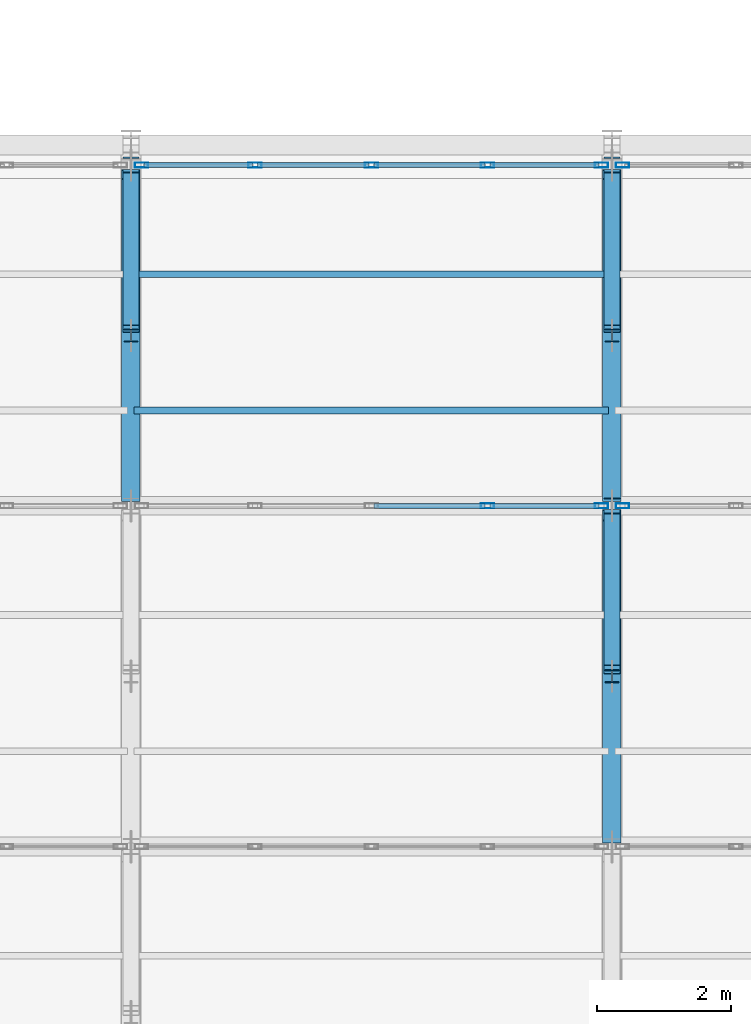
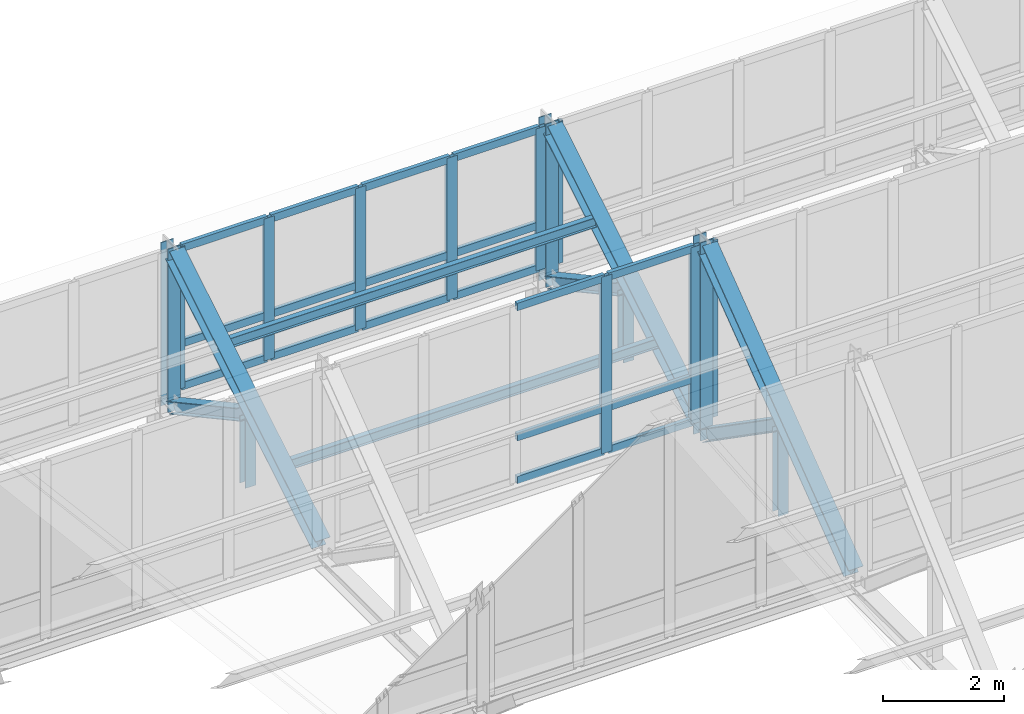
# One storey, part 57 of 157: 41 members, 4 elements without a shape of their own.
"""IFC4 building model written with IfcOpenShell, lengths in metres."""

from ifc_helpers import new_model, si_unit, direction, frame, origin, origin_2d, place, context, subcontext, project, spatial, hollow_rectangle, i_section, extrude, material, material_profile, profile_set, type_object, element, aggregate, save


model = new_model("IFC4")

# Units and contexts
model_context = context("Model", 3, precision=1e-05, world=origin(), true_north=direction((0.0, 1.0)))
body_context = subcontext(model_context, "Body", "Model", "MODEL_VIEW")
ifc_project = project(units=[si_unit("LENGTHUNIT", "METRE"), si_unit("AREAUNIT", "SQUARE_METRE"), si_unit("VOLUMEUNIT", "CUBIC_METRE"), si_unit("PLANEANGLEUNIT", "RADIAN"), si_unit("MASSUNIT", "GRAM", prefix="KILO")], contexts=[model_context])

# Site, building, storey
site_placement = place(None, origin())
site = spatial("IfcSite", under=ifc_project, at=site_placement, CompositionType="ELEMENT")
building_placement = place(site_placement, origin())
building = spatial("IfcBuilding", under=site, at=building_placement, Name="Suanplinth Sawtooth Commons", CompositionType="ELEMENT")
storey_placement = place(building_placement, frame((0.0, 0.0, 9.0)))
storey = spatial("IfcBuildingStorey", under=building, at=storey_placement, Name="L02", CompositionType="ELEMENT", Elevation=9.0)

# Members
ifc_material_1 = material(Name="Steel S355JR", Category="steel")
ifc_material_profile_1 = material_profile(ifc_material_1, i_section(OverallWidth=0.280029296875, OverallDepth=0.280029296875, WebThickness=0.010498046875, FlangeThickness=0.01806640625, at=origin_2d()), Name="HEB 280")
ifc_profile_set_1 = profile_set([ifc_material_profile_1], Name="Steel S355JR")
member_type_1 = type_object("IfcMemberType", Name="M-02", PredefinedType="CHORD", material=ifc_profile_set_1)
member_1_placement = place(storey_placement, frame((86.39990234375, 81.139892578125, 2.919921875), z_axis=(0.0, 0.855283356021, 0.51816057445), x_axis=(-1.0, 0.0, 0.0)))
element("IfcMember", 1, at=member_1_placement, inside=storey, type_object=member_type_1, Name="Sawtooth Truss T4 Top Chord 7", PredefinedType="CHORD", context=body_context, shape_type="SweptSolid", body=[
    extrude(i_section(OverallWidth=0.280029296875, OverallDepth=0.280029296875, WebThickness=0.010498046875, FlangeThickness=0.01806640625, at=origin_2d()), origin(), (0.0, 0.0, 1.0), 5.6357421875),
])
member_2_placement = place(storey_placement, frame((93.60009765625, 76.0400390625, 2.919921875), z_axis=(0.0, 0.799596436712, 0.600537707723), x_axis=(-1.0, 0.0, 0.0)))
element("IfcMember", 2, at=member_2_placement, inside=storey, type_object=member_type_1, Name="Sawtooth Truss T5 Top Chord 6", PredefinedType="CHORD", context=body_context, shape_type="SweptSolid", body=[
    extrude(i_section(OverallWidth=0.280029296875, OverallDepth=0.280029296875, WebThickness=0.010498046875, FlangeThickness=0.01806640625, at=origin_2d()), origin(), (0.0, 0.0, 1.0), 6.028076171875),
])
member_3_placement = place(storey_placement, frame((93.60009765625, 81.139892578125, 2.919921875), z_axis=(0.0, 0.855283356021, 0.51816057445), x_axis=(-1.0, 0.0, 0.0)))
element("IfcMember", 3, at=member_3_placement, inside=storey, type_object=member_type_1, Name="Sawtooth Truss T5 Top Chord 7", PredefinedType="CHORD", context=body_context, shape_type="SweptSolid", body=[
    extrude(i_section(OverallWidth=0.280029296875, OverallDepth=0.280029296875, WebThickness=0.010498046875, FlangeThickness=0.01806640625, at=origin_2d()), origin(), (0.0, 0.0, 1.0), 5.6357421875),
])
ifc_material_profile_2 = material_profile(ifc_material_1, i_section(OverallWidth=0.239990234375, OverallDepth=0.22998046875, WebThickness=0.007568359375, FlangeThickness=0.011962890625, at=origin_2d()), Name="HEA 240")
ifc_profile_set_2 = profile_set([ifc_material_profile_2], Name="Steel S355JR")
member_type_2 = type_object("IfcMemberType", Name="M-03", PredefinedType="BRACE", material=ifc_profile_set_2)
member_4_placement = place(storey_placement, frame((86.39990234375, 83.64990234375, 4.02001953125), z_axis=(0.0, 0.878043199154, -0.478581383277), x_axis=(-1.0, 0.0, 0.0)))
element("IfcMember", 4, at=member_4_placement, inside=storey, type_object=member_type_2, Name="Sawtooth Truss T4 Web Diagonal 7", PredefinedType="BRACE", context=body_context, shape_type="SweptSolid", body=[
    extrude(i_section(OverallWidth=0.239990234375, OverallDepth=0.22998046875, WebThickness=0.007568359375, FlangeThickness=0.011962890625, at=origin_2d()), origin(), (0.0, 0.0, 1.0), 2.65380859375),
])
member_5_placement = place(storey_placement, frame((93.60009765625, 78.550048828125, 4.3701171875), z_axis=(0.0, 0.821010399862, -0.570913236245), x_axis=(-1.0, 0.0, 0.0)))
element("IfcMember", 5, at=member_5_placement, inside=storey, type_object=member_type_2, Name="Sawtooth Truss T5 Web Diagonal 6", PredefinedType="BRACE", context=body_context, shape_type="SweptSolid", body=[
    extrude(i_section(OverallWidth=0.239990234375, OverallDepth=0.22998046875, WebThickness=0.007568359375, FlangeThickness=0.011962890625, at=origin_2d()), origin(), (0.0, 0.0, 1.0), 2.837646484375),
])
member_6_placement = place(storey_placement, frame((93.60009765625, 83.64990234375, 4.02001953125), z_axis=(0.0, 0.878043199154, -0.478581383277), x_axis=(-1.0, 0.0, 0.0)))
element("IfcMember", 6, at=member_6_placement, inside=storey, type_object=member_type_2, Name="Sawtooth Truss T5 Web Diagonal 7", PredefinedType="BRACE", context=body_context, shape_type="SweptSolid", body=[
    extrude(i_section(OverallWidth=0.239990234375, OverallDepth=0.22998046875, WebThickness=0.007568359375, FlangeThickness=0.011962890625, at=origin_2d()), origin(), (0.0, 0.0, 1.0), 2.65380859375),
])
ifc_material_profile_3 = material_profile(ifc_material_1, i_section(OverallWidth=0.199951171875, OverallDepth=0.18994140625, WebThickness=0.006591796875, FlangeThickness=0.010009765625, at=origin_2d()), Name="HEA 200")
ifc_profile_set_3 = profile_set([ifc_material_profile_3], Name="Steel S355JR")
member_type_3 = type_object("IfcMemberType", Name="M-04", PredefinedType="BRACE", material=ifc_profile_set_3)
member_7_placement = place(storey_placement, frame((86.39990234375, 83.550048828125, 2.64990234375), z_axis=(0.0, 0.0, 1.0), x_axis=(1.0, 0.0, 0.0)))
element("IfcMember", 7, at=member_7_placement, inside=storey, type_object=member_type_3, Name="Sawtooth Truss T4 Mid Web Post 7", PredefinedType="BRACE", context=body_context, shape_type="SweptSolid", body=[
    extrude(i_section(OverallWidth=0.199951171875, OverallDepth=0.18994140625, WebThickness=0.006591796875, FlangeThickness=0.010009765625, at=origin_2d()), origin(), (0.0, 0.0, 1.0), 1.35009765625),
])
member_8_placement = place(storey_placement, frame((93.60009765625, 78.449951171875, 2.64990234375), z_axis=(0.0, 0.0, 1.0), x_axis=(1.0, 0.0, 0.0)))
element("IfcMember", 8, at=member_8_placement, inside=storey, type_object=member_type_3, Name="Sawtooth Truss T5 Mid Web Post 6", PredefinedType="BRACE", context=body_context, shape_type="SweptSolid", body=[
    extrude(i_section(OverallWidth=0.199951171875, OverallDepth=0.18994140625, WebThickness=0.006591796875, FlangeThickness=0.010009765625, at=origin_2d()), origin(), (0.0, 0.0, 1.0), 1.7001953125),
])
member_9_placement = place(storey_placement, frame((93.60009765625, 83.550048828125, 2.64990234375), z_axis=(0.0, 0.0, 1.0), x_axis=(1.0, 0.0, 0.0)))
element("IfcMember", 9, at=member_9_placement, inside=storey, type_object=member_type_3, Name="Sawtooth Truss T5 Mid Web Post 7", PredefinedType="BRACE", context=body_context, shape_type="SweptSolid", body=[
    extrude(i_section(OverallWidth=0.199951171875, OverallDepth=0.18994140625, WebThickness=0.006591796875, FlangeThickness=0.010009765625, at=origin_2d()), origin(), (0.0, 0.0, 1.0), 1.35009765625),
])
ifc_material_profile_4 = material_profile(ifc_material_1, i_section(OverallWidth=0.239990234375, OverallDepth=0.239990234375, WebThickness=0.010009765625, FlangeThickness=0.01708984375, at=origin_2d()), Name="HEB 240")
ifc_profile_set_4 = profile_set([ifc_material_profile_4], Name="Steel S355JR")
member_type_4 = type_object("IfcMemberType", Name="M-05", PredefinedType="POST", material=ifc_profile_set_4)
member_10_placement = place(storey_placement, frame((86.39990234375, 86.10009765625, 2.64990234375), z_axis=(0.0, 0.0, 1.0), x_axis=(1.0, 0.0, 0.0)))
element("IfcMember", 10, at=member_10_placement, inside=storey, type_object=member_type_4, Name="Sawtooth Truss T4 Clerestory Post 7", PredefinedType="POST", context=body_context, shape_type="SweptSolid", body=[
    extrude(i_section(OverallWidth=0.239990234375, OverallDepth=0.239990234375, WebThickness=0.010009765625, FlangeThickness=0.01708984375, at=origin_2d()), origin(), (0.0, 0.0, 1.0), 3.2900390625),
])
member_11_placement = place(storey_placement, frame((93.60009765625, 81.0, 2.64990234375), z_axis=(0.0, 0.0, 1.0), x_axis=(1.0, 0.0, 0.0)))
element("IfcMember", 11, at=member_11_placement, inside=storey, type_object=member_type_4, Name="Sawtooth Truss T5 Clerestory Post 6", PredefinedType="POST", context=body_context, shape_type="SweptSolid", body=[
    extrude(i_section(OverallWidth=0.239990234375, OverallDepth=0.239990234375, WebThickness=0.010009765625, FlangeThickness=0.01708984375, at=origin_2d()), origin(), (0.0, 0.0, 1.0), 3.989990234375),
])
member_12_placement = place(storey_placement, frame((93.60009765625, 86.10009765625, 2.64990234375), z_axis=(0.0, 0.0, 1.0), x_axis=(1.0, 0.0, 0.0)))
element("IfcMember", 12, at=member_12_placement, inside=storey, type_object=member_type_4, Name="Sawtooth Truss T5 Clerestory Post 7", PredefinedType="POST", context=body_context, shape_type="SweptSolid", body=[
    extrude(i_section(OverallWidth=0.239990234375, OverallDepth=0.239990234375, WebThickness=0.010009765625, FlangeThickness=0.01708984375, at=origin_2d()), origin(), (0.0, 0.0, 1.0), 3.2900390625),
])
ifc_material_2 = material(Name="Steel SS400", Category="steel")
ifc_material_profile_5 = material_profile(ifc_material_2, i_section(OverallWidth=0.10009765625, OverallDepth=0.199951171875, WebThickness=0.005615234375, FlangeThickness=0.008544921875, at=origin_2d()), Name="IPE 200")
ifc_profile_set_5 = profile_set([ifc_material_profile_5], Name="Steel SS400")
member_type_5 = type_object("IfcMemberType", Name="M-06", PredefinedType="PURLIN", material=ifc_profile_set_5)
for number, where, z_axis, x_axis, name in (
    (13, (86.449951171875, 82.427978515625, 3.691162109375), (1.0, 0.0, 0.0), (0.0, 1.0, 0.0), "Sawtooth Roof Purlin T7-B4-P1"),
    (14, (86.449951171875, 84.468017578125, 4.89111328125), (1.0, 0.0, 0.0), (0.0, 1.0, 0.0), "Sawtooth Roof Purlin T7-B4-P2"),
):
    element("IfcMember", number, at=place(storey_placement, frame(where, z_axis=z_axis, x_axis=x_axis)), inside=storey, type_object=member_type_5, Name=name, PredefinedType="PURLIN", context=body_context, shape_type="SweptSolid", body=[
        extrude(i_section(OverallWidth=0.10009765625, OverallDepth=0.199951171875, WebThickness=0.005615234375, FlangeThickness=0.008544921875, at=origin_2d()), origin(), (0.0, 0.0, 1.0), 7.10009765625),
    ])

# Curtain wall, members
ifc_material_3 = material(Name="Anodized aluminium and low-E glazing", Category="aluminium")
curtain_wall_type = type_object("IfcCurtainWallType", Name="CW-03", PredefinedType="USERDEFINED", material=ifc_material_3)
curtain_wall_1_placement = place(storey_placement, origin())
curtain_wall_1 = element("IfcCurtainWall", 15, at=curtain_wall_1_placement, inside=storey, type_object=curtain_wall_type, Name="Curtain Wall CW-SAW-T6-B4", ObjectType="CURTAIN WALL", PredefinedType="USERDEFINED")
ifc_material_4 = material(Name="Anodized aluminium 6063-T6", Category="aluminium")
ifc_material_profile_6 = material_profile(ifc_material_4, hollow_rectangle(XDim=0.074951171875, YDim=0.199951171875, WallThickness=0.0048828125, at=origin_2d()), Name="ALU-MUL 75x200")
ifc_profile_set_6 = profile_set([ifc_material_profile_6], Name="Anodized aluminium 6063-T6")
member_type_6 = type_object("IfcMemberType", Name="M-14", PredefinedType="MULLION", material=ifc_profile_set_6)
member_13_placement = place(storey_placement, frame((91.739990234375, 81.0, 2.97998046875), z_axis=(0.0, 0.0, 1.0), x_axis=(0.0, 1.0, 0.0)))
member_13 = element("IfcMember", 16, at=member_13_placement, type_object=member_type_6, Name="CW-03 mullion 4", PredefinedType="MULLION", context=body_context, shape_type="SweptSolid", body=[
    extrude(hollow_rectangle(XDim=0.074951171875, YDim=0.199951171875, WallThickness=0.0048828125, at=origin_2d()), origin(), (0.0, 0.0, 1.0), 3.56005859375),
])
member_14_placement = place(storey_placement, frame((93.4423828125, 81.0, 2.97998046875), z_axis=(0.0, 0.0, 1.0), x_axis=(0.0, 1.0, 0.0)))
member_14 = element("IfcMember", 17, at=member_14_placement, type_object=member_type_6, Name="CW-03 mullion 5", PredefinedType="MULLION", context=body_context, shape_type="SweptSolid", body=[
    extrude(hollow_rectangle(XDim=0.074951171875, YDim=0.199951171875, WallThickness=0.0048828125, at=origin_2d()), origin(), (0.0, 0.0, 1.0), 3.56005859375),
])

# Curtain wall, member
curtain_wall_2_placement = place(storey_placement, origin())
curtain_wall_2 = element("IfcCurtainWall", 18, at=curtain_wall_2_placement, inside=storey, type_object=curtain_wall_type, Name="Curtain Wall CW-SAW-T6-B5", ObjectType="CURTAIN WALL", PredefinedType="USERDEFINED")
member_15_placement = place(storey_placement, frame((93.757568359375, 81.0, 2.97998046875), z_axis=(0.0, 0.0, 1.0), x_axis=(0.0, 1.0, 0.0)))
member_15 = element("IfcMember", 19, at=member_15_placement, type_object=member_type_6, Name="CW-03 mullion 1", PredefinedType="MULLION", context=body_context, shape_type="SweptSolid", body=[
    extrude(hollow_rectangle(XDim=0.074951171875, YDim=0.199951171875, WallThickness=0.0048828125, at=origin_2d()), origin(), (0.0, 0.0, 1.0), 3.56005859375),
])
aggregate(curtain_wall_2, [member_15])

# Curtain wall, members
curtain_wall_3_placement = place(storey_placement, origin())
curtain_wall_3 = element("IfcCurtainWall", 20, at=curtain_wall_3_placement, inside=storey, type_object=curtain_wall_type, Name="Curtain Wall CW-SAW-T7-B4", ObjectType="CURTAIN WALL", PredefinedType="USERDEFINED")
member_16_placement = place(storey_placement, frame((86.5576171875, 86.10009765625, 2.97998046875), z_axis=(0.0, 0.0, 1.0), x_axis=(0.0, 1.0, 0.0)))
member_16 = element("IfcMember", 21, at=member_16_placement, type_object=member_type_6, Name="CW-03 mullion 1", PredefinedType="MULLION", context=body_context, shape_type="SweptSolid", body=[
    extrude(hollow_rectangle(XDim=0.074951171875, YDim=0.199951171875, WallThickness=0.0048828125, at=origin_2d()), origin(), (0.0, 0.0, 1.0), 2.860107421875),
])
member_17_placement = place(storey_placement, frame((88.260009765625, 86.10009765625, 2.97998046875), z_axis=(0.0, 0.0, 1.0), x_axis=(0.0, 1.0, 0.0)))
member_17 = element("IfcMember", 22, at=member_17_placement, type_object=member_type_6, Name="CW-03 mullion 2", PredefinedType="MULLION", context=body_context, shape_type="SweptSolid", body=[
    extrude(hollow_rectangle(XDim=0.074951171875, YDim=0.199951171875, WallThickness=0.0048828125, at=origin_2d()), origin(), (0.0, 0.0, 1.0), 2.860107421875),
])
member_18_placement = place(storey_placement, frame((90.0, 86.10009765625, 2.97998046875), z_axis=(0.0, 0.0, 1.0), x_axis=(0.0, 1.0, 0.0)))
member_18 = element("IfcMember", 23, at=member_18_placement, type_object=member_type_6, Name="CW-03 mullion 3", PredefinedType="MULLION", context=body_context, shape_type="SweptSolid", body=[
    extrude(hollow_rectangle(XDim=0.074951171875, YDim=0.199951171875, WallThickness=0.0048828125, at=origin_2d()), origin(), (0.0, 0.0, 1.0), 2.860107421875),
])
member_19_placement = place(storey_placement, frame((91.739990234375, 86.10009765625, 2.97998046875), z_axis=(0.0, 0.0, 1.0), x_axis=(0.0, 1.0, 0.0)))
member_19 = element("IfcMember", 24, at=member_19_placement, type_object=member_type_6, Name="CW-03 mullion 4", PredefinedType="MULLION", context=body_context, shape_type="SweptSolid", body=[
    extrude(hollow_rectangle(XDim=0.074951171875, YDim=0.199951171875, WallThickness=0.0048828125, at=origin_2d()), origin(), (0.0, 0.0, 1.0), 2.860107421875),
])
member_20_placement = place(storey_placement, frame((93.4423828125, 86.10009765625, 2.97998046875), z_axis=(0.0, 0.0, 1.0), x_axis=(0.0, 1.0, 0.0)))
member_20 = element("IfcMember", 25, at=member_20_placement, type_object=member_type_6, Name="CW-03 mullion 5", PredefinedType="MULLION", context=body_context, shape_type="SweptSolid", body=[
    extrude(hollow_rectangle(XDim=0.074951171875, YDim=0.199951171875, WallThickness=0.0048828125, at=origin_2d()), origin(), (0.0, 0.0, 1.0), 2.860107421875),
])

# Curtain wall, member
curtain_wall_4_placement = place(storey_placement, origin())
curtain_wall_4 = element("IfcCurtainWall", 26, at=curtain_wall_4_placement, inside=storey, type_object=curtain_wall_type, Name="Curtain Wall CW-SAW-T7-B5", ObjectType="CURTAIN WALL", PredefinedType="USERDEFINED")
member_21_placement = place(storey_placement, frame((93.757568359375, 86.10009765625, 2.97998046875), z_axis=(0.0, 0.0, 1.0), x_axis=(0.0, 1.0, 0.0)))
member_21 = element("IfcMember", 27, at=member_21_placement, type_object=member_type_6, Name="CW-03 mullion 1", PredefinedType="MULLION", context=body_context, shape_type="SweptSolid", body=[
    extrude(hollow_rectangle(XDim=0.074951171875, YDim=0.199951171875, WallThickness=0.0048828125, at=origin_2d()), origin(), (0.0, 0.0, 1.0), 2.860107421875),
])
aggregate(curtain_wall_4, [member_21])

# Member
ifc_material_profile_7 = material_profile(ifc_material_4, hollow_rectangle(XDim=0.074951171875, YDim=0.14990234375, WallThickness=0.00439453125, at=origin_2d()), Name="ALU-TRN 75x150")
ifc_profile_set_7 = profile_set([ifc_material_profile_7], Name="Anodized aluminium 6063-T6")
member_type_7 = type_object("IfcMemberType", Name="M-16", PredefinedType="USERDEFINED", material=ifc_profile_set_7)
member_22_placement = place(storey_placement, frame((90.03759765625, 81.0, 3.017578125), z_axis=(1.0, 0.0, 0.0), x_axis=(0.0, 1.0, 0.0)))
member_22 = element("IfcMember", 28, at=member_22_placement, type_object=member_type_7, Name="CW-03 transom 3.1", ObjectType="TRANSOM", PredefinedType="USERDEFINED", context=body_context, shape_type="SweptSolid", body=[
    extrude(hollow_rectangle(XDim=0.074951171875, YDim=0.14990234375, WallThickness=0.00439453125, at=origin_2d()), origin(), (0.0, 0.0, 1.0), 1.664794921875),
])

member_23_placement = place(storey_placement, frame((90.03759765625, 81.0, 3.8798828125), z_axis=(1.0, 0.0, 0.0), x_axis=(0.0, 1.0, 0.0)))
member_23 = element("IfcMember", 29, at=member_23_placement, type_object=member_type_7, Name="CW-03 transom 3.2", ObjectType="TRANSOM", PredefinedType="USERDEFINED", context=body_context, shape_type="SweptSolid", body=[
    extrude(hollow_rectangle(XDim=0.074951171875, YDim=0.14990234375, WallThickness=0.00439453125, at=origin_2d()), origin(), (0.0, 0.0, 1.0), 1.664794921875),
])

member_24_placement = place(storey_placement, frame((90.03759765625, 81.0, 6.50244140625), z_axis=(1.0, 0.0, 0.0), x_axis=(0.0, 1.0, 0.0)))
member_24 = element("IfcMember", 30, at=member_24_placement, type_object=member_type_7, Name="CW-03 transom 3.3", ObjectType="TRANSOM", PredefinedType="USERDEFINED", context=body_context, shape_type="SweptSolid", body=[
    extrude(hollow_rectangle(XDim=0.074951171875, YDim=0.14990234375, WallThickness=0.00439453125, at=origin_2d()), origin(), (0.0, 0.0, 1.0), 1.664794921875),
])

member_25_placement = place(storey_placement, frame((91.777587890625, 81.0, 3.017578125), z_axis=(1.0, 0.0, 0.0), x_axis=(0.0, 1.0, 0.0)))
member_25 = element("IfcMember", 31, at=member_25_placement, type_object=member_type_7, Name="CW-03 transom 4.1", ObjectType="TRANSOM", PredefinedType="USERDEFINED", context=body_context, shape_type="SweptSolid", body=[
    extrude(hollow_rectangle(XDim=0.074951171875, YDim=0.14990234375, WallThickness=0.00439453125, at=origin_2d()), origin(), (0.0, 0.0, 1.0), 1.62744140625),
])

member_26_placement = place(storey_placement, frame((91.777587890625, 81.0, 3.8798828125), z_axis=(1.0, 0.0, 0.0), x_axis=(0.0, 1.0, 0.0)))
member_26 = element("IfcMember", 32, at=member_26_placement, type_object=member_type_7, Name="CW-03 transom 4.2", ObjectType="TRANSOM", PredefinedType="USERDEFINED", context=body_context, shape_type="SweptSolid", body=[
    extrude(hollow_rectangle(XDim=0.074951171875, YDim=0.14990234375, WallThickness=0.00439453125, at=origin_2d()), origin(), (0.0, 0.0, 1.0), 1.62744140625),
])

member_27_placement = place(storey_placement, frame((91.777587890625, 81.0, 6.50244140625), z_axis=(1.0, 0.0, 0.0), x_axis=(0.0, 1.0, 0.0)))
member_27 = element("IfcMember", 33, at=member_27_placement, type_object=member_type_7, Name="CW-03 transom 4.3", ObjectType="TRANSOM", PredefinedType="USERDEFINED", context=body_context, shape_type="SweptSolid", body=[
    extrude(hollow_rectangle(XDim=0.074951171875, YDim=0.14990234375, WallThickness=0.00439453125, at=origin_2d()), origin(), (0.0, 0.0, 1.0), 1.62744140625),
])

aggregate(curtain_wall_1, [member_13, member_14, member_22, member_23, member_24, member_25, member_26, member_27])

member_28_placement = place(storey_placement, frame((86.594970703125, 86.10009765625, 3.017578125), z_axis=(1.0, 0.0, 0.0), x_axis=(0.0, 1.0, 0.0)))
member_28 = element("IfcMember", 34, at=member_28_placement, type_object=member_type_7, Name="CW-03 transom 1.1", ObjectType="TRANSOM", PredefinedType="USERDEFINED", context=body_context, shape_type="SweptSolid", body=[
    extrude(hollow_rectangle(XDim=0.074951171875, YDim=0.14990234375, WallThickness=0.00439453125, at=origin_2d()), origin(), (0.0, 0.0, 1.0), 1.62744140625),
])

member_29_placement = place(storey_placement, frame((86.594970703125, 86.10009765625, 3.8798828125), z_axis=(1.0, 0.0, 0.0), x_axis=(0.0, 1.0, 0.0)))
member_29 = element("IfcMember", 35, at=member_29_placement, type_object=member_type_7, Name="CW-03 transom 1.2", ObjectType="TRANSOM", PredefinedType="USERDEFINED", context=body_context, shape_type="SweptSolid", body=[
    extrude(hollow_rectangle(XDim=0.074951171875, YDim=0.14990234375, WallThickness=0.00439453125, at=origin_2d()), origin(), (0.0, 0.0, 1.0), 1.62744140625),
])

member_30_placement = place(storey_placement, frame((86.594970703125, 86.10009765625, 5.802490234375), z_axis=(1.0, 0.0, 0.0), x_axis=(0.0, 1.0, 0.0)))
member_30 = element("IfcMember", 36, at=member_30_placement, type_object=member_type_7, Name="CW-03 transom 1.3", ObjectType="TRANSOM", PredefinedType="USERDEFINED", context=body_context, shape_type="SweptSolid", body=[
    extrude(hollow_rectangle(XDim=0.074951171875, YDim=0.14990234375, WallThickness=0.00439453125, at=origin_2d()), origin(), (0.0, 0.0, 1.0), 1.62744140625),
])

member_31_placement = place(storey_placement, frame((88.297607421875, 86.10009765625, 3.017578125), z_axis=(1.0, 0.0, 0.0), x_axis=(0.0, 1.0, 0.0)))
member_31 = element("IfcMember", 37, at=member_31_placement, type_object=member_type_7, Name="CW-03 transom 2.1", ObjectType="TRANSOM", PredefinedType="USERDEFINED", context=body_context, shape_type="SweptSolid", body=[
    extrude(hollow_rectangle(XDim=0.074951171875, YDim=0.14990234375, WallThickness=0.00439453125, at=origin_2d()), origin(), (0.0, 0.0, 1.0), 1.664794921875),
])

member_32_placement = place(storey_placement, frame((88.297607421875, 86.10009765625, 3.8798828125), z_axis=(1.0, 0.0, 0.0), x_axis=(0.0, 1.0, 0.0)))
member_32 = element("IfcMember", 38, at=member_32_placement, type_object=member_type_7, Name="CW-03 transom 2.2", ObjectType="TRANSOM", PredefinedType="USERDEFINED", context=body_context, shape_type="SweptSolid", body=[
    extrude(hollow_rectangle(XDim=0.074951171875, YDim=0.14990234375, WallThickness=0.00439453125, at=origin_2d()), origin(), (0.0, 0.0, 1.0), 1.664794921875),
])

member_33_placement = place(storey_placement, frame((88.297607421875, 86.10009765625, 5.802490234375), z_axis=(1.0, 0.0, 0.0), x_axis=(0.0, 1.0, 0.0)))
member_33 = element("IfcMember", 39, at=member_33_placement, type_object=member_type_7, Name="CW-03 transom 2.3", ObjectType="TRANSOM", PredefinedType="USERDEFINED", context=body_context, shape_type="SweptSolid", body=[
    extrude(hollow_rectangle(XDim=0.074951171875, YDim=0.14990234375, WallThickness=0.00439453125, at=origin_2d()), origin(), (0.0, 0.0, 1.0), 1.664794921875),
])

member_34_placement = place(storey_placement, frame((90.03759765625, 86.10009765625, 3.017578125), z_axis=(1.0, 0.0, 0.0), x_axis=(0.0, 1.0, 0.0)))
member_34 = element("IfcMember", 40, at=member_34_placement, type_object=member_type_7, Name="CW-03 transom 3.1", ObjectType="TRANSOM", PredefinedType="USERDEFINED", context=body_context, shape_type="SweptSolid", body=[
    extrude(hollow_rectangle(XDim=0.074951171875, YDim=0.14990234375, WallThickness=0.00439453125, at=origin_2d()), origin(), (0.0, 0.0, 1.0), 1.664794921875),
])

member_35_placement = place(storey_placement, frame((90.03759765625, 86.10009765625, 3.8798828125), z_axis=(1.0, 0.0, 0.0), x_axis=(0.0, 1.0, 0.0)))
member_35 = element("IfcMember", 41, at=member_35_placement, type_object=member_type_7, Name="CW-03 transom 3.2", ObjectType="TRANSOM", PredefinedType="USERDEFINED", context=body_context, shape_type="SweptSolid", body=[
    extrude(hollow_rectangle(XDim=0.074951171875, YDim=0.14990234375, WallThickness=0.00439453125, at=origin_2d()), origin(), (0.0, 0.0, 1.0), 1.664794921875),
])

member_36_placement = place(storey_placement, frame((90.03759765625, 86.10009765625, 5.802490234375), z_axis=(1.0, 0.0, 0.0), x_axis=(0.0, 1.0, 0.0)))
member_36 = element("IfcMember", 42, at=member_36_placement, type_object=member_type_7, Name="CW-03 transom 3.3", ObjectType="TRANSOM", PredefinedType="USERDEFINED", context=body_context, shape_type="SweptSolid", body=[
    extrude(hollow_rectangle(XDim=0.074951171875, YDim=0.14990234375, WallThickness=0.00439453125, at=origin_2d()), origin(), (0.0, 0.0, 1.0), 1.664794921875),
])

member_37_placement = place(storey_placement, frame((91.777587890625, 86.10009765625, 3.017578125), z_axis=(1.0, 0.0, 0.0), x_axis=(0.0, 1.0, 0.0)))
member_37 = element("IfcMember", 43, at=member_37_placement, type_object=member_type_7, Name="CW-03 transom 4.1", ObjectType="TRANSOM", PredefinedType="USERDEFINED", context=body_context, shape_type="SweptSolid", body=[
    extrude(hollow_rectangle(XDim=0.074951171875, YDim=0.14990234375, WallThickness=0.00439453125, at=origin_2d()), origin(), (0.0, 0.0, 1.0), 1.62744140625),
])

member_38_placement = place(storey_placement, frame((91.777587890625, 86.10009765625, 3.8798828125), z_axis=(1.0, 0.0, 0.0), x_axis=(0.0, 1.0, 0.0)))
member_38 = element("IfcMember", 44, at=member_38_placement, type_object=member_type_7, Name="CW-03 transom 4.2", ObjectType="TRANSOM", PredefinedType="USERDEFINED", context=body_context, shape_type="SweptSolid", body=[
    extrude(hollow_rectangle(XDim=0.074951171875, YDim=0.14990234375, WallThickness=0.00439453125, at=origin_2d()), origin(), (0.0, 0.0, 1.0), 1.62744140625),
])

member_39_placement = place(storey_placement, frame((91.777587890625, 86.10009765625, 5.802490234375), z_axis=(1.0, 0.0, 0.0), x_axis=(0.0, 1.0, 0.0)))
member_39 = element("IfcMember", 45, at=member_39_placement, type_object=member_type_7, Name="CW-03 transom 4.3", ObjectType="TRANSOM", PredefinedType="USERDEFINED", context=body_context, shape_type="SweptSolid", body=[
    extrude(hollow_rectangle(XDim=0.074951171875, YDim=0.14990234375, WallThickness=0.00439453125, at=origin_2d()), origin(), (0.0, 0.0, 1.0), 1.62744140625),
])

aggregate(curtain_wall_3, [member_16, member_17, member_18, member_19, member_20, member_28, member_29, member_30, member_31, member_32, member_33, member_34, member_35, member_36, member_37, member_38, member_39])

save(model, "model.ifc")
